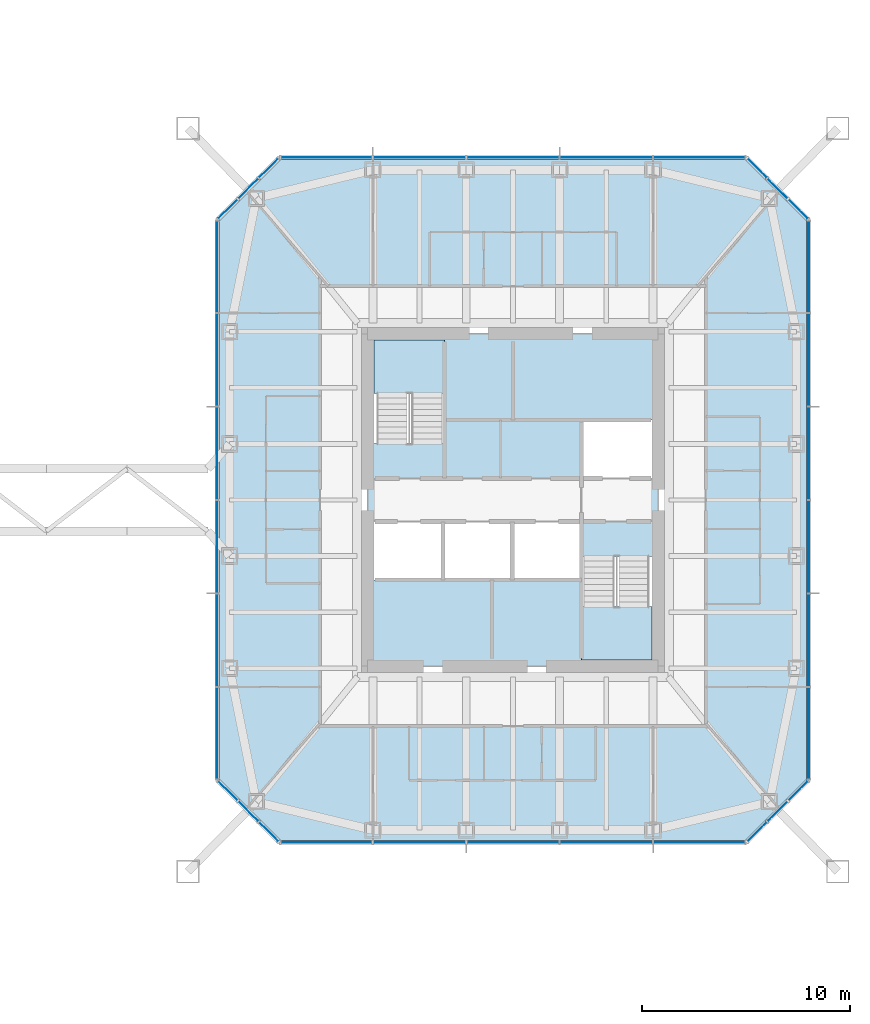
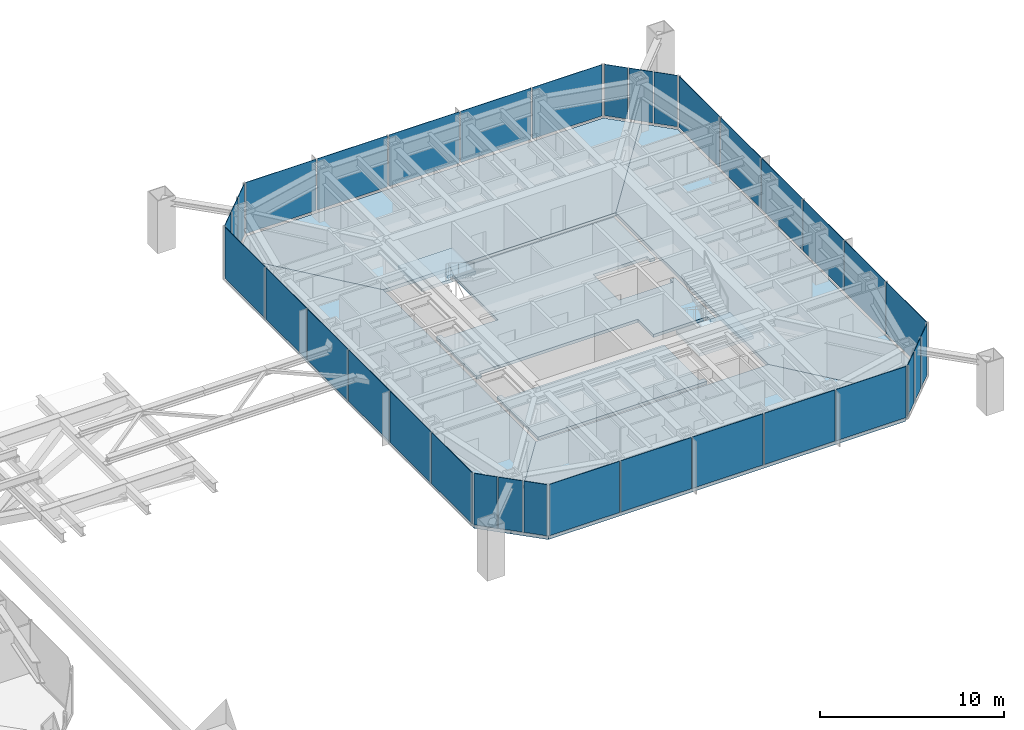
# One storey, part 13 of 26: 34 plates, 8 slabs, 10 elements without a shape of their own.
"""IFC4 building model written with IfcOpenShell, lengths in metres."""

from ifc_helpers import new_model, si_unit, direction, frame, origin, origin_2d, place, context, subcontext, project, spatial, polyline, rectangle, outline, extrude, material, layer, layer_set, constituent, constituent_set, type_object, element, aggregate, save


model = new_model("IFC4")

# Units and contexts
model_context = context("Model", 3, precision=1e-05, world=origin(), true_north=direction((0.0, 1.0)))
body_context = subcontext(model_context, "Body", "Model", "MODEL_VIEW")
ifc_project = project(units=[si_unit("LENGTHUNIT", "METRE"), si_unit("AREAUNIT", "SQUARE_METRE"), si_unit("VOLUMEUNIT", "CUBIC_METRE"), si_unit("PLANEANGLEUNIT", "RADIAN"), si_unit("MASSUNIT", "GRAM", prefix="KILO")], contexts=[model_context])

# Site, building, storey
site_placement = place(None, origin())
site = spatial("IfcSite", under=ifc_project, at=site_placement, CompositionType="ELEMENT")
building_placement = place(site_placement, origin())
building = spatial("IfcBuilding", under=site, at=building_placement, Name="Iwan Alto Co-Living Towers", CompositionType="ELEMENT")
storey_placement = place(building_placement, frame((0.0, 0.0, 126.0)))
storey = spatial("IfcBuildingStorey", under=building, at=storey_placement, Name="L34", CompositionType="ELEMENT", Elevation=126.0)

# Slabs
ifc_material_1 = material(Name="Concrete f'c 30 MPa", Category="concrete")
ifc_layer_1 = layer(ifc_material_1, 0.199951171875)
ifc_layer_set_1 = layer_set([ifc_layer_1], Name="CORE FLOOR SLAB 200")
slab_type_1 = type_object("IfcSlabType", Name="CORE FLOOR SLAB 200", PredefinedType="FLOOR", material=ifc_layer_set_1)
slab_1_placement = place(storey_placement, frame((0.0, 0.0, -0.199951171875)))
element("IfcSlab", 1, at=slab_1_placement, inside=storey, type_object=slab_type_1, Name="T2 core floor L34", PredefinedType="FLOOR", context=body_context, shape_type="SweptSolid", body=[
    extrude(outline(polyline([(70.0, -3.030029296875), (69.699951171875, -3.030029296875), (69.699951171875, -2.719970703125), (66.300048828125, -2.719970703125), (66.300048828125, -1.050048828125), (62.967041015625, -1.050048828125), (59.633056640625, -1.050048828125), (56.300048828125, -1.050048828125), (56.300048828125, -1.360107421875), (56.0, -1.360107421875), (56.0, 3.030029296875), (56.300048828125, 3.030029296875), (56.300048828125, 2.719970703125), (59.699951171875, 2.719970703125), (59.699951171875, 7.699951171875), (59.389892578125, 7.699951171875), (59.389892578125, 8.0), (70.0, 8.0), (70.0, 3.5400390625), (69.699951171875, 3.5400390625), (69.699951171875, 3.85009765625), (66.300048828125, 3.85009765625), (66.300048828125, 1.050048828125), (69.699951171875, 1.050048828125), (69.699951171875, 1.360107421875), (70.0, 1.360107421875), (70.0, -3.030029296875)])), origin(), (0.0, 0.0, 1.0), 0.199951171875),
])
slab_2_placement = place(storey_placement, frame((0.0, 0.0, -0.199951171875)))
element("IfcSlab", 2, at=slab_2_placement, inside=storey, type_object=slab_type_1, Name="T2 core floor L34", PredefinedType="FLOOR", context=body_context, shape_type="SweptSolid", body=[
    extrude(outline(polyline([(62.967041015625, -3.85009765625), (66.300048828125, -3.85009765625), (66.300048828125, -7.699951171875), (66.610107421875, -7.699951171875), (66.610107421875, -8.0), (56.0, -8.0), (56.0, -3.5400390625), (56.300048828125, -3.5400390625), (56.300048828125, -3.85009765625), (59.633056640625, -3.85009765625), (62.967041015625, -3.85009765625)])), origin(), (0.0, 0.0, 1.0), 0.199951171875),
])

# Curtain wall, plates
ifc_material_2 = material(Name="Bronze aluminium unitised frame", Category="aluminium")
curtain_wall_type_1 = type_object("IfcCurtainWallType", Name="CURTAIN WALL CW-C", PredefinedType="NOTDEFINED", material=ifc_material_2)
curtain_wall_1_placement = place(storey_placement, origin())
curtain_wall_1 = element("IfcCurtainWall", 3, at=curtain_wall_1_placement, inside=storey, type_object=curtain_wall_type_1, Name="T2 curtain wall S L34", PredefinedType="NOTDEFINED")
ifc_material_3 = material(Name="Bronze-tinted insulating glass", Category="glass")
ifc_layer_2 = layer(ifc_material_3, 0.031982421875)
ifc_layer_set_2 = layer_set([ifc_layer_2], Name="CW-C PANEL TINTED IGU 32")
plate_type_1 = type_object("IfcPlateType", Name="CW-C PANEL TINTED IGU 32", PredefinedType="CURTAIN_PANEL", material=ifc_layer_set_2)
plate_1_placement = place(storey_placement, frame((54.02001953125, -16.5, 0.10009765625), z_axis=(0.0, 0.0, 1.0), x_axis=(1.0, 0.0, 0.0)))
plate_1 = element("IfcPlate", 4, at=plate_1_placement, type_object=plate_type_1, Name="CW-C panel 1.1", PredefinedType="CURTAIN_PANEL", context=body_context, shape_type="SweptSolid", body=[
    extrude(rectangle(XDim=4.3798828125, YDim=0.031982421875, at=origin_2d()), origin(), (0.0, 0.0, 1.0), 3.39990234375),
])
plate_2_placement = place(storey_placement, frame((58.5, -16.5, 0.10009765625), z_axis=(0.0, 0.0, 1.0), x_axis=(1.0, 0.0, 0.0)))
plate_2 = element("IfcPlate", 5, at=plate_2_placement, type_object=plate_type_1, Name="CW-C panel 2.1", PredefinedType="CURTAIN_PANEL", context=body_context, shape_type="SweptSolid", body=[
    extrude(rectangle(XDim=4.419921875, YDim=0.031982421875, at=origin_2d()), origin(), (0.0, 0.0, 1.0), 3.39990234375),
])
plate_3_placement = place(storey_placement, frame((63.0, -16.5, 0.10009765625), z_axis=(0.0, 0.0, 1.0), x_axis=(1.0, 0.0, 0.0)))
plate_3 = element("IfcPlate", 6, at=plate_3_placement, type_object=plate_type_1, Name="CW-C panel 3.1", PredefinedType="CURTAIN_PANEL", context=body_context, shape_type="SweptSolid", body=[
    extrude(rectangle(XDim=4.419921875, YDim=0.031982421875, at=origin_2d()), origin(), (0.0, 0.0, 1.0), 3.39990234375),
])
plate_4_placement = place(storey_placement, frame((67.5, -16.5, 0.10009765625), z_axis=(0.0, 0.0, 1.0), x_axis=(1.0, 0.0, 0.0)))
plate_4 = element("IfcPlate", 7, at=plate_4_placement, type_object=plate_type_1, Name="CW-C panel 4.1", PredefinedType="CURTAIN_PANEL", context=body_context, shape_type="SweptSolid", body=[
    extrude(rectangle(XDim=4.419921875, YDim=0.031982421875, at=origin_2d()), origin(), (0.0, 0.0, 1.0), 3.39990234375),
])
plate_5_placement = place(storey_placement, frame((71.97998046875, -16.5, 0.10009765625), z_axis=(0.0, 0.0, 1.0), x_axis=(1.0, 0.0, 0.0)))
plate_5 = element("IfcPlate", 8, at=plate_5_placement, type_object=plate_type_1, Name="CW-C panel 5.1", PredefinedType="CURTAIN_PANEL", context=body_context, shape_type="SweptSolid", body=[
    extrude(rectangle(XDim=4.3798828125, YDim=0.031982421875, at=origin_2d()), origin(), (0.0, 0.0, 1.0), 3.39990234375),
])
aggregate(curtain_wall_1, [plate_1, plate_2, plate_3, plate_4, plate_5])

curtain_wall_2_placement = place(storey_placement, origin())
curtain_wall_2 = element("IfcCurtainWall", 9, at=curtain_wall_2_placement, inside=storey, type_object=curtain_wall_type_1, Name="T2 curtain wall E L34", PredefinedType="NOTDEFINED")
plate_6_placement = place(storey_placement, frame((77.25, -11.22998046875, 0.10009765625), z_axis=(0.0, 0.0, 1.0), x_axis=(0.0, 1.0, 0.0)))
plate_6 = element("IfcPlate", 10, at=plate_6_placement, type_object=plate_type_1, Name="CW-C panel 1.1", PredefinedType="CURTAIN_PANEL", context=body_context, shape_type="SweptSolid", body=[
    extrude(rectangle(XDim=4.3798828125, YDim=0.031982421875, at=origin_2d()), origin(), (0.0, 0.0, 1.0), 3.39990234375),
])
plate_7_placement = place(storey_placement, frame((77.25, -6.75, 0.10009765625), z_axis=(0.0, 0.0, 1.0), x_axis=(0.0, 1.0, 0.0)))
plate_7 = element("IfcPlate", 11, at=plate_7_placement, type_object=plate_type_1, Name="CW-C panel 2.1", PredefinedType="CURTAIN_PANEL", context=body_context, shape_type="SweptSolid", body=[
    extrude(rectangle(XDim=4.419921875, YDim=0.031982421875, at=origin_2d()), origin(), (0.0, 0.0, 1.0), 3.39990234375),
])
plate_8_placement = place(storey_placement, frame((77.25, -2.25, 0.10009765625), z_axis=(0.0, 0.0, 1.0), x_axis=(0.0, 1.0, 0.0)))
plate_8 = element("IfcPlate", 12, at=plate_8_placement, type_object=plate_type_1, Name="CW-C panel 3.1", PredefinedType="CURTAIN_PANEL", context=body_context, shape_type="SweptSolid", body=[
    extrude(rectangle(XDim=4.419921875, YDim=0.031982421875, at=origin_2d()), origin(), (0.0, 0.0, 1.0), 3.39990234375),
])
plate_9_placement = place(storey_placement, frame((77.25, 2.25, 0.10009765625), z_axis=(0.0, 0.0, 1.0), x_axis=(0.0, 1.0, 0.0)))
plate_9 = element("IfcPlate", 13, at=plate_9_placement, type_object=plate_type_1, Name="CW-C panel 4.1", PredefinedType="CURTAIN_PANEL", context=body_context, shape_type="SweptSolid", body=[
    extrude(rectangle(XDim=4.419921875, YDim=0.031982421875, at=origin_2d()), origin(), (0.0, 0.0, 1.0), 3.39990234375),
])
plate_10_placement = place(storey_placement, frame((77.25, 6.75, 0.10009765625), z_axis=(0.0, 0.0, 1.0), x_axis=(0.0, 1.0, 0.0)))
plate_10 = element("IfcPlate", 14, at=plate_10_placement, type_object=plate_type_1, Name="CW-C panel 5.1", PredefinedType="CURTAIN_PANEL", context=body_context, shape_type="SweptSolid", body=[
    extrude(rectangle(XDim=4.419921875, YDim=0.031982421875, at=origin_2d()), origin(), (0.0, 0.0, 1.0), 3.39990234375),
])
plate_11_placement = place(storey_placement, frame((77.25, 11.22998046875, 0.10009765625), z_axis=(0.0, 0.0, 1.0), x_axis=(0.0, 1.0, 0.0)))
plate_11 = element("IfcPlate", 15, at=plate_11_placement, type_object=plate_type_1, Name="CW-C panel 6.1", PredefinedType="CURTAIN_PANEL", context=body_context, shape_type="SweptSolid", body=[
    extrude(rectangle(XDim=4.3798828125, YDim=0.031982421875, at=origin_2d()), origin(), (0.0, 0.0, 1.0), 3.39990234375),
])
aggregate(curtain_wall_2, [plate_6, plate_7, plate_8, plate_9, plate_10, plate_11])

curtain_wall_3_placement = place(storey_placement, origin())
curtain_wall_3 = element("IfcCurtainWall", 16, at=curtain_wall_3_placement, inside=storey, type_object=curtain_wall_type_1, Name="T2 curtain wall N L34", PredefinedType="NOTDEFINED")
plate_12_placement = place(storey_placement, frame((71.97998046875, 16.5, 0.10009765625), z_axis=(0.0, 0.0, 1.0), x_axis=(-1.0, 0.0, 0.0)))
plate_12 = element("IfcPlate", 17, at=plate_12_placement, type_object=plate_type_1, Name="CW-C panel 1.1", PredefinedType="CURTAIN_PANEL", context=body_context, shape_type="SweptSolid", body=[
    extrude(rectangle(XDim=4.3798828125, YDim=0.031982421875, at=origin_2d()), origin(), (0.0, 0.0, 1.0), 3.39990234375),
])
plate_13_placement = place(storey_placement, frame((67.5, 16.5, 0.10009765625), z_axis=(0.0, 0.0, 1.0), x_axis=(-1.0, 0.0, 0.0)))
plate_13 = element("IfcPlate", 18, at=plate_13_placement, type_object=plate_type_1, Name="CW-C panel 2.1", PredefinedType="CURTAIN_PANEL", context=body_context, shape_type="SweptSolid", body=[
    extrude(rectangle(XDim=4.419921875, YDim=0.031982421875, at=origin_2d()), origin(), (0.0, 0.0, 1.0), 3.39990234375),
])
plate_14_placement = place(storey_placement, frame((63.0, 16.5, 0.10009765625), z_axis=(0.0, 0.0, 1.0), x_axis=(-1.0, 0.0, 0.0)))
plate_14 = element("IfcPlate", 19, at=plate_14_placement, type_object=plate_type_1, Name="CW-C panel 3.1", PredefinedType="CURTAIN_PANEL", context=body_context, shape_type="SweptSolid", body=[
    extrude(rectangle(XDim=4.419921875, YDim=0.031982421875, at=origin_2d()), origin(), (0.0, 0.0, 1.0), 3.39990234375),
])
plate_15_placement = place(storey_placement, frame((58.5, 16.5, 0.10009765625), z_axis=(0.0, 0.0, 1.0), x_axis=(-1.0, 0.0, 0.0)))
plate_15 = element("IfcPlate", 20, at=plate_15_placement, type_object=plate_type_1, Name="CW-C panel 4.1", PredefinedType="CURTAIN_PANEL", context=body_context, shape_type="SweptSolid", body=[
    extrude(rectangle(XDim=4.419921875, YDim=0.031982421875, at=origin_2d()), origin(), (0.0, 0.0, 1.0), 3.39990234375),
])
plate_16_placement = place(storey_placement, frame((54.02001953125, 16.5, 0.10009765625), z_axis=(0.0, 0.0, 1.0), x_axis=(-1.0, 0.0, 0.0)))
plate_16 = element("IfcPlate", 21, at=plate_16_placement, type_object=plate_type_1, Name="CW-C panel 5.1", PredefinedType="CURTAIN_PANEL", context=body_context, shape_type="SweptSolid", body=[
    extrude(rectangle(XDim=4.3798828125, YDim=0.031982421875, at=origin_2d()), origin(), (0.0, 0.0, 1.0), 3.39990234375),
])
aggregate(curtain_wall_3, [plate_12, plate_13, plate_14, plate_15, plate_16])

curtain_wall_4_placement = place(storey_placement, origin())
curtain_wall_4 = element("IfcCurtainWall", 22, at=curtain_wall_4_placement, inside=storey, type_object=curtain_wall_type_1, Name="T2 curtain wall W L34", PredefinedType="NOTDEFINED")
plate_17_placement = place(storey_placement, frame((48.75, 11.22998046875, 0.10009765625), z_axis=(0.0, 0.0, 1.0), x_axis=(0.0, -1.0, 0.0)))
plate_17 = element("IfcPlate", 23, at=plate_17_placement, type_object=plate_type_1, Name="CW-C panel 1.1", PredefinedType="CURTAIN_PANEL", context=body_context, shape_type="SweptSolid", body=[
    extrude(rectangle(XDim=4.3798828125, YDim=0.031982421875, at=origin_2d()), origin(), (0.0, 0.0, 1.0), 3.39990234375),
])
plate_18_placement = place(storey_placement, frame((48.75, 6.75, 0.10009765625), z_axis=(0.0, 0.0, 1.0), x_axis=(0.0, -1.0, 0.0)))
plate_18 = element("IfcPlate", 24, at=plate_18_placement, type_object=plate_type_1, Name="CW-C panel 2.1", PredefinedType="CURTAIN_PANEL", context=body_context, shape_type="SweptSolid", body=[
    extrude(rectangle(XDim=4.419921875, YDim=0.031982421875, at=origin_2d()), origin(), (0.0, 0.0, 1.0), 3.39990234375),
])
plate_19_placement = place(storey_placement, frame((48.75, 2.25, 0.10009765625), z_axis=(0.0, 0.0, 1.0), x_axis=(0.0, -1.0, 0.0)))
plate_19 = element("IfcPlate", 25, at=plate_19_placement, type_object=plate_type_1, Name="CW-C panel 3.1", PredefinedType="CURTAIN_PANEL", context=body_context, shape_type="SweptSolid", body=[
    extrude(rectangle(XDim=4.419921875, YDim=0.031982421875, at=origin_2d()), origin(), (0.0, 0.0, 1.0), 3.39990234375),
])
plate_20_placement = place(storey_placement, frame((48.75, -2.25, 0.10009765625), z_axis=(0.0, 0.0, 1.0), x_axis=(0.0, -1.0, 0.0)))
plate_20 = element("IfcPlate", 26, at=plate_20_placement, type_object=plate_type_1, Name="CW-C panel 4.1", PredefinedType="CURTAIN_PANEL", context=body_context, shape_type="SweptSolid", body=[
    extrude(rectangle(XDim=4.419921875, YDim=0.031982421875, at=origin_2d()), origin(), (0.0, 0.0, 1.0), 3.39990234375),
])
plate_21_placement = place(storey_placement, frame((48.75, -6.75, 0.10009765625), z_axis=(0.0, 0.0, 1.0), x_axis=(0.0, -1.0, 0.0)))
plate_21 = element("IfcPlate", 27, at=plate_21_placement, type_object=plate_type_1, Name="CW-C panel 5.1", PredefinedType="CURTAIN_PANEL", context=body_context, shape_type="SweptSolid", body=[
    extrude(rectangle(XDim=4.419921875, YDim=0.031982421875, at=origin_2d()), origin(), (0.0, 0.0, 1.0), 3.39990234375),
])
plate_22_placement = place(storey_placement, frame((48.75, -11.22998046875, 0.10009765625), z_axis=(0.0, 0.0, 1.0), x_axis=(0.0, -1.0, 0.0)))
plate_22 = element("IfcPlate", 28, at=plate_22_placement, type_object=plate_type_1, Name="CW-C panel 6.1", PredefinedType="CURTAIN_PANEL", context=body_context, shape_type="SweptSolid", body=[
    extrude(rectangle(XDim=4.3798828125, YDim=0.031982421875, at=origin_2d()), origin(), (0.0, 0.0, 1.0), 3.39990234375),
])
aggregate(curtain_wall_4, [plate_17, plate_18, plate_19, plate_20, plate_21, plate_22])

ifc_material_4 = material(Name="Bronze aluminium unitised frame", Category="aluminium")
curtain_wall_type_2 = type_object("IfcCurtainWallType", Name="CURTAIN WALL CW-D", PredefinedType="NOTDEFINED", material=ifc_material_4)
curtain_wall_5_placement = place(storey_placement, origin())
curtain_wall_5 = element("IfcCurtainWall", 29, at=curtain_wall_5_placement, inside=storey, type_object=curtain_wall_type_2, Name="T2 chamfer curtain wall SE L34", PredefinedType="NOTDEFINED")
ifc_material_5 = material(Name="Bronze-tinted insulating glass", Category="glass")
ifc_layer_3 = layer(ifc_material_5, 0.031982421875)
ifc_layer_set_3 = layer_set([ifc_layer_3], Name="CW-D PANEL TINTED IGU 32")
plate_type_2 = type_object("IfcPlateType", Name="CW-D PANEL TINTED IGU 32", PredefinedType="CURTAIN_PANEL", material=ifc_layer_set_3)
plate_23_placement = place(storey_placement, frame((74.76416015625, -15.98583984375, 0.10009765625), z_axis=(0.0, 0.0, 1.0), x_axis=(0.707106781187, 0.707106781187, 0.0)))
plate_23 = element("IfcPlate", 30, at=plate_23_placement, type_object=plate_type_2, Name="CW-D panel 1.1", PredefinedType="CURTAIN_PANEL", context=body_context, shape_type="SweptSolid", body=[
    extrude(rectangle(XDim=1.294189453125, YDim=0.031982421875, at=origin_2d()), origin(), (0.0, 0.0, 1.0), 3.39990234375),
])
plate_24_placement = place(storey_placement, frame((75.75, -15.0, 0.10009765625), z_axis=(0.0, 0.0, 1.0), x_axis=(0.707106781187, 0.707106781187, 0.0)))
plate_24 = element("IfcPlate", 31, at=plate_24_placement, type_object=plate_type_2, Name="CW-D panel 2.1", PredefinedType="CURTAIN_PANEL", context=body_context, shape_type="SweptSolid", body=[
    extrude(rectangle(XDim=1.334228515625, YDim=0.031982421875, at=origin_2d()), origin(), (0.0, 0.0, 1.0), 3.39990234375),
])
plate_25_placement = place(storey_placement, frame((76.73583984375, -14.01416015625, 0.10009765625), z_axis=(0.0, 0.0, 1.0), x_axis=(0.707106781187, 0.707106781187, 0.0)))
plate_25 = element("IfcPlate", 32, at=plate_25_placement, type_object=plate_type_2, Name="CW-D panel 3.1", PredefinedType="CURTAIN_PANEL", context=body_context, shape_type="SweptSolid", body=[
    extrude(rectangle(XDim=1.294189453125, YDim=0.031982421875, at=origin_2d()), origin(), (0.0, 0.0, 1.0), 3.39990234375),
])
aggregate(curtain_wall_5, [plate_23, plate_24, plate_25])

curtain_wall_6_placement = place(storey_placement, origin())
curtain_wall_6 = element("IfcCurtainWall", 33, at=curtain_wall_6_placement, inside=storey, type_object=curtain_wall_type_2, Name="T2 chamfer curtain wall NE L34", PredefinedType="NOTDEFINED")
plate_26_placement = place(storey_placement, frame((76.73583984375, 14.01416015625, 0.10009765625), z_axis=(0.0, 0.0, 1.0), x_axis=(-0.707106781187, 0.707106781187, 0.0)))
plate_26 = element("IfcPlate", 34, at=plate_26_placement, type_object=plate_type_2, Name="CW-D panel 1.1", PredefinedType="CURTAIN_PANEL", context=body_context, shape_type="SweptSolid", body=[
    extrude(rectangle(XDim=1.294189453125, YDim=0.031982421875, at=origin_2d()), origin(), (0.0, 0.0, 1.0), 3.39990234375),
])
plate_27_placement = place(storey_placement, frame((75.75, 15.0, 0.10009765625), z_axis=(0.0, 0.0, 1.0), x_axis=(-0.707106781187, 0.707106781187, 0.0)))
plate_27 = element("IfcPlate", 35, at=plate_27_placement, type_object=plate_type_2, Name="CW-D panel 2.1", PredefinedType="CURTAIN_PANEL", context=body_context, shape_type="SweptSolid", body=[
    extrude(rectangle(XDim=1.334228515625, YDim=0.031982421875, at=origin_2d()), origin(), (0.0, 0.0, 1.0), 3.39990234375),
])
plate_28_placement = place(storey_placement, frame((74.76416015625, 15.98583984375, 0.10009765625), z_axis=(0.0, 0.0, 1.0), x_axis=(-0.707106781187, 0.707106781187, 0.0)))
plate_28 = element("IfcPlate", 36, at=plate_28_placement, type_object=plate_type_2, Name="CW-D panel 3.1", PredefinedType="CURTAIN_PANEL", context=body_context, shape_type="SweptSolid", body=[
    extrude(rectangle(XDim=1.294189453125, YDim=0.031982421875, at=origin_2d()), origin(), (0.0, 0.0, 1.0), 3.39990234375),
])
aggregate(curtain_wall_6, [plate_26, plate_27, plate_28])

curtain_wall_7_placement = place(storey_placement, origin())
curtain_wall_7 = element("IfcCurtainWall", 37, at=curtain_wall_7_placement, inside=storey, type_object=curtain_wall_type_2, Name="T2 chamfer curtain wall NW L34", PredefinedType="NOTDEFINED")
plate_29_placement = place(storey_placement, frame((51.23583984375, 15.98583984375, 0.10009765625), z_axis=(0.0, 0.0, 1.0), x_axis=(-0.707106781187, -0.707106781187, 0.0)))
plate_29 = element("IfcPlate", 38, at=plate_29_placement, type_object=plate_type_2, Name="CW-D panel 1.1", PredefinedType="CURTAIN_PANEL", context=body_context, shape_type="SweptSolid", body=[
    extrude(rectangle(XDim=1.294189453125, YDim=0.031982421875, at=origin_2d()), origin(), (0.0, 0.0, 1.0), 3.39990234375),
])
plate_30_placement = place(storey_placement, frame((50.25, 15.0, 0.10009765625), z_axis=(0.0, 0.0, 1.0), x_axis=(-0.707106781187, -0.707106781187, 0.0)))
plate_30 = element("IfcPlate", 39, at=plate_30_placement, type_object=plate_type_2, Name="CW-D panel 2.1", PredefinedType="CURTAIN_PANEL", context=body_context, shape_type="SweptSolid", body=[
    extrude(rectangle(XDim=1.334228515625, YDim=0.031982421875, at=origin_2d()), origin(), (0.0, 0.0, 1.0), 3.39990234375),
])
plate_31_placement = place(storey_placement, frame((49.26416015625, 14.01416015625, 0.10009765625), z_axis=(0.0, 0.0, 1.0), x_axis=(-0.707106781187, -0.707106781187, 0.0)))
plate_31 = element("IfcPlate", 40, at=plate_31_placement, type_object=plate_type_2, Name="CW-D panel 3.1", PredefinedType="CURTAIN_PANEL", context=body_context, shape_type="SweptSolid", body=[
    extrude(rectangle(XDim=1.294189453125, YDim=0.031982421875, at=origin_2d()), origin(), (0.0, 0.0, 1.0), 3.39990234375),
])
aggregate(curtain_wall_7, [plate_29, plate_30, plate_31])

curtain_wall_8_placement = place(storey_placement, origin())
curtain_wall_8 = element("IfcCurtainWall", 41, at=curtain_wall_8_placement, inside=storey, type_object=curtain_wall_type_2, Name="T2 chamfer curtain wall SW L34", PredefinedType="NOTDEFINED")
plate_32_placement = place(storey_placement, frame((49.26416015625, -14.01416015625, 0.10009765625), z_axis=(0.0, 0.0, 1.0), x_axis=(0.707106781187, -0.707106781187, 0.0)))
plate_32 = element("IfcPlate", 42, at=plate_32_placement, type_object=plate_type_2, Name="CW-D panel 1.1", PredefinedType="CURTAIN_PANEL", context=body_context, shape_type="SweptSolid", body=[
    extrude(rectangle(XDim=1.294189453125, YDim=0.031982421875, at=origin_2d()), origin(), (0.0, 0.0, 1.0), 3.39990234375),
])
plate_33_placement = place(storey_placement, frame((50.25, -15.0, 0.10009765625), z_axis=(0.0, 0.0, 1.0), x_axis=(0.707106781187, -0.707106781187, 0.0)))
plate_33 = element("IfcPlate", 43, at=plate_33_placement, type_object=plate_type_2, Name="CW-D panel 2.1", PredefinedType="CURTAIN_PANEL", context=body_context, shape_type="SweptSolid", body=[
    extrude(rectangle(XDim=1.334228515625, YDim=0.031982421875, at=origin_2d()), origin(), (0.0, 0.0, 1.0), 3.39990234375),
])
plate_34_placement = place(storey_placement, frame((51.23583984375, -15.98583984375, 0.10009765625), z_axis=(0.0, 0.0, 1.0), x_axis=(0.707106781187, -0.707106781187, 0.0)))
plate_34 = element("IfcPlate", 44, at=plate_34_placement, type_object=plate_type_2, Name="CW-D panel 3.1", PredefinedType="CURTAIN_PANEL", context=body_context, shape_type="SweptSolid", body=[
    extrude(rectangle(XDim=1.294189453125, YDim=0.031982421875, at=origin_2d()), origin(), (0.0, 0.0, 1.0), 3.39990234375),
])
aggregate(curtain_wall_8, [plate_32, plate_33, plate_34])

# Stair, slab
ifc_material_6 = material(Name="Steel ASTM A36", Category="steel")
ifc_constituent_1 = constituent(ifc_material_6, Name="Stringers", Category="LoadBearing")
ifc_material_7 = material(Name="Concrete f'c 30 MPa", Category="concrete")
ifc_constituent_2 = constituent(ifc_material_7, Name="Tread fill", Category="Finish")
ifc_constituent_set = constituent_set(constituents=[ifc_constituent_1, ifc_constituent_2], Name="STAIR 3500 TWO-FLIGHT T2 CORE")
stair_type = type_object("IfcStairType", Name="STAIR 3500 TWO-FLIGHT T2 CORE", PredefinedType="HALF_TURN_STAIR", material=ifc_constituent_set)
stair_1_placement = place(storey_placement, origin())
stair_1 = element("IfcStair", 45, at=stair_1_placement, inside=storey, type_object=stair_type, Name="Stair T2-S1 L34 to L35", PredefinedType="HALF_TURN_STAIR")
ifc_material_8 = material(Name="Concrete f'c 30 MPa", Category="concrete")
ifc_layer_4 = layer(ifc_material_8, 0.199951171875)
ifc_layer_set_4 = layer_set([ifc_layer_4], Name="STAIR LANDING 200")
slab_type_2 = type_object("IfcSlabType", Name="STAIR LANDING 200", PredefinedType="LANDING", material=ifc_layer_set_4)
slab_3_placement = place(storey_placement, frame((0.0, 0.0, 1.550048828125)))
slab_3 = element("IfcSlab", 46, at=slab_3_placement, type_object=slab_type_2, Name="T2-S1 landing 1", PredefinedType="LANDING", context=body_context, shape_type="SweptSolid", body=[
    extrude(outline(polyline([(56.300048828125, 5.139892578125), (56.300048828125, 7.699951171875), (59.699951171875, 7.699951171875), (59.699951171875, 5.139892578125), (56.300048828125, 5.139892578125)])), origin(), (0.0, 0.0, 1.0), 0.199951171875),
])
aggregate(stair_1, [slab_3])

stair_2_placement = place(storey_placement, origin())
stair_2 = element("IfcStair", 47, at=stair_2_placement, inside=storey, type_object=stair_type, Name="Stair T2-S2 L34 to L35", PredefinedType="HALF_TURN_STAIR")
slab_4_placement = place(storey_placement, frame((0.0, 0.0, 1.550048828125)))
slab_4 = element("IfcSlab", 48, at=slab_4_placement, type_object=slab_type_2, Name="T2-S2 landing 1", PredefinedType="LANDING", context=body_context, shape_type="SweptSolid", body=[
    extrude(outline(polyline([(66.300048828125, -5.139892578125), (66.300048828125, -7.699951171875), (69.699951171875, -7.699951171875), (69.699951171875, -5.139892578125), (66.300048828125, -5.139892578125)])), origin(), (0.0, 0.0, 1.0), 0.199951171875),
])
aggregate(stair_2, [slab_4])

# Slabs
ifc_material_9 = material(Name="Concrete f'c 30 MPa", Category="concrete")
ifc_layer_5 = layer(ifc_material_9, 0.22998046875)
ifc_layer_set_5 = layer_set([ifc_layer_5], Name="T2 FLOOR SLAB 230")
slab_type_3 = type_object("IfcSlabType", Name="T2 FLOOR SLAB 230", PredefinedType="FLOOR", material=ifc_layer_set_5)
slab_5_placement = place(storey_placement, frame((0.0, 0.0, -0.22998046875)))
element("IfcSlab", 49, at=slab_5_placement, inside=storey, type_object=slab_type_3, Name="T2 floor slab L34 S pour", PredefinedType="FLOOR", context=body_context, shape_type="SweptSolid", body=[
    extrude(outline(polyline([(74.19140625, -16.39990234375), (51.80859375, -16.39990234375), (50.330810546875, -14.92236328125), (55.699951171875, -8.300048828125), (70.300048828125, -8.300048828125), (75.669189453125, -14.92236328125), (74.19140625, -16.39990234375)])), origin(), (0.0, 0.0, 1.0), 0.22998046875),
])
slab_6_placement = place(storey_placement, frame((0.0, 0.0, -0.22998046875)))
element("IfcSlab", 50, at=slab_6_placement, inside=storey, type_object=slab_type_3, Name="T2 floor slab L34 E pour", PredefinedType="FLOOR", context=body_context, shape_type="SweptSolid", body=[
    extrude(outline(polyline([(77.14990234375, 13.44140625), (77.14990234375, -13.44140625), (75.669189453125, -14.92236328125), (70.300048828125, -8.300048828125), (70.300048828125, 8.300048828125), (75.669189453125, 14.92236328125), (77.14990234375, 13.44140625)])), origin(), (0.0, 0.0, 1.0), 0.22998046875),
])
slab_7_placement = place(storey_placement, frame((0.0, 0.0, -0.22998046875)))
element("IfcSlab", 51, at=slab_7_placement, inside=storey, type_object=slab_type_3, Name="T2 floor slab L34 N pour", PredefinedType="FLOOR", context=body_context, shape_type="SweptSolid", body=[
    extrude(outline(polyline([(51.80859375, 16.39990234375), (74.19140625, 16.39990234375), (75.669189453125, 14.92236328125), (70.300048828125, 8.300048828125), (55.699951171875, 8.300048828125), (50.330810546875, 14.92236328125), (51.80859375, 16.39990234375)])), origin(), (0.0, 0.0, 1.0), 0.22998046875),
])
slab_8_placement = place(storey_placement, frame((0.0, 0.0, -0.22998046875)))
element("IfcSlab", 52, at=slab_8_placement, inside=storey, type_object=slab_type_3, Name="T2 floor slab L34 W pour", PredefinedType="FLOOR", context=body_context, shape_type="SweptSolid", body=[
    extrude(outline(polyline([(48.85009765625, 13.44140625), (50.330810546875, 14.92236328125), (55.699951171875, 8.300048828125), (55.699951171875, -8.300048828125), (50.330810546875, -14.92236328125), (48.85009765625, -13.44140625), (48.85009765625, 13.44140625)])), origin(), (0.0, 0.0, 1.0), 0.22998046875),
])

save(model, "model.ifc")
